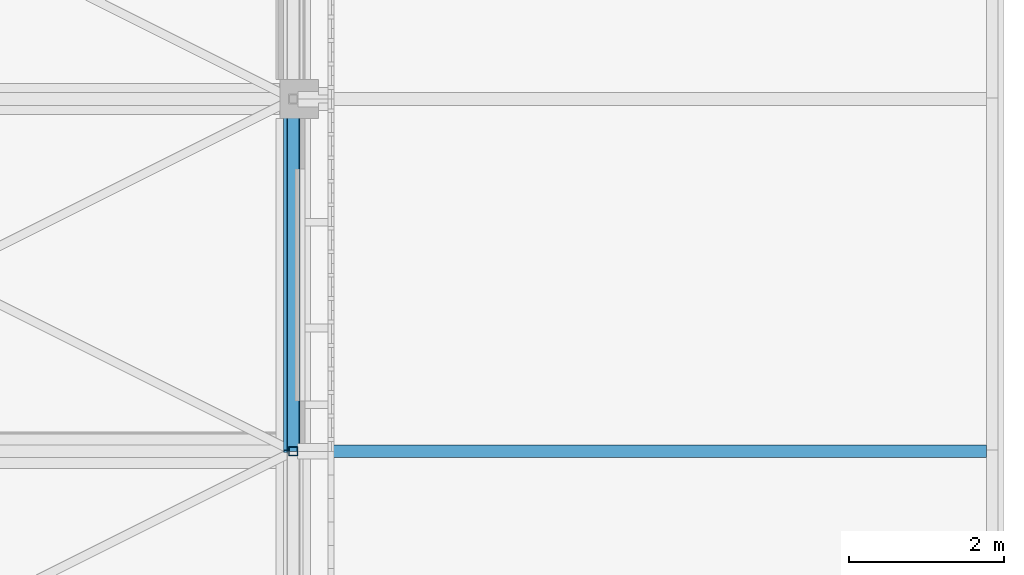
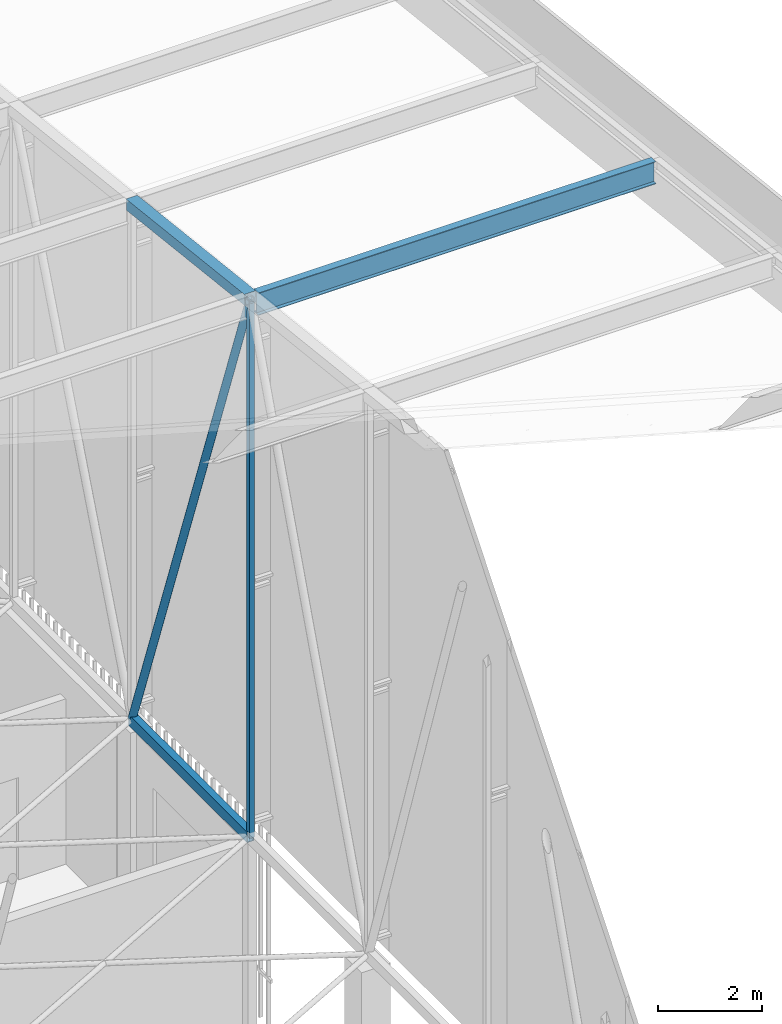
# One storey, part 378 of 500: 5 members.
"""IFC4 building model written with IfcOpenShell, lengths in metres."""

from ifc_helpers import new_model, si_unit, direction, frame, origin, origin_2d, place, context, subcontext, project, spatial, hollow_rectangle, hollow_circle, i_section, extrude, material, material_profile, profile_set, type_object, element, save


model = new_model("IFC4")

# Units and contexts
model_context = context("Model", 3, precision=1e-05, world=origin(), true_north=direction((0.0, 1.0)))
body_context = subcontext(model_context, "Body", "Model", "MODEL_VIEW")
ifc_project = project(units=[si_unit("LENGTHUNIT", "METRE"), si_unit("AREAUNIT", "SQUARE_METRE"), si_unit("VOLUMEUNIT", "CUBIC_METRE"), si_unit("PLANEANGLEUNIT", "RADIAN"), si_unit("MASSUNIT", "GRAM", prefix="KILO")], contexts=[model_context])

# Site, building, storey
site_placement = place(None, origin())
site = spatial("IfcSite", under=ifc_project, at=site_placement, CompositionType="ELEMENT")
building_placement = place(site_placement, origin())
building = spatial("IfcBuilding", under=site, at=building_placement, Name="Shirokan Park Arena", CompositionType="ELEMENT")
storey_placement = place(building_placement, frame((0.0, 0.0, 29.1201171875)))
storey = spatial("IfcBuildingStorey", under=building, at=storey_placement, Name="L06", CompositionType="ELEMENT", Elevation=29.1201171875)

# Members
ifc_material_1 = material(Name="Steel ASTM A500 Grade C", Category="steel")
ifc_material_profile_1 = material_profile(ifc_material_1, hollow_rectangle(XDim=0.152099609375, YDim=0.25390625, WallThickness=0.009521484375, at=origin_2d()), Name="HSS254X152.4X9.5")
ifc_profile_set_1 = profile_set([ifc_material_profile_1], Name="Steel ASTM A500 Grade C")
member_type_1 = type_object("IfcMemberType", Name="Bottom chord HSS254X152.4X9.5", PredefinedType="CHORD", material=ifc_profile_set_1)
member_1_placement = place(storey_placement, frame((145.60009765625, 68.25, 4.677001953125), z_axis=(0.0, 1.0, 0.0), x_axis=(-1.0, 0.0, 0.0)))
element("IfcMember", 1, at=member_1_placement, inside=storey, type_object=member_type_1, Name="Truss T17 bottom chord 18", PredefinedType="CHORD", context=body_context, shape_type="SweptSolid", body=[
    extrude(hollow_rectangle(XDim=0.152099609375, YDim=0.25390625, WallThickness=0.009521484375, at=origin_2d()), origin(), (0.0, 0.0, 1.0), 4.550048828125),
])
ifc_material_2 = material(Name="Steel ASTM A992", Category="steel")
ifc_material_profile_2 = material_profile(ifc_material_2, i_section(OverallWidth=0.166015625, OverallDepth=0.528076171875, WebThickness=0.009765625, FlangeThickness=0.013671875, at=origin_2d()), Name="W530X74")
ifc_profile_set_2 = profile_set([ifc_material_profile_2], Name="Steel ASTM A992")
member_type_2 = type_object("IfcMemberType", Name="Purlin W530X74", PredefinedType="PURLIN", material=ifc_profile_set_2)
member_2_placement = place(storey_placement, frame((145.72705078125, 68.25, 17.165771484375), z_axis=(1.0, 0.0, 0.0), x_axis=(0.0, 1.0, 0.0)))
element("IfcMember", 2, at=member_2_placement, inside=storey, type_object=member_type_2, Name="Eave purlin east 18", PredefinedType="PURLIN", context=body_context, shape_type="SweptSolid", body=[
    extrude(i_section(OverallWidth=0.166015625, OverallDepth=0.528076171875, WebThickness=0.009765625, FlangeThickness=0.013671875, at=origin_2d()), origin(), (0.0, 0.0, 1.0), 8.824951171875),
])
ifc_material_profile_3 = material_profile(ifc_material_1, hollow_rectangle(XDim=0.25390625, YDim=0.25390625, WallThickness=0.009521484375, at=origin_2d()), Name="HSS254X254X9.5")
ifc_profile_set_3 = profile_set([ifc_material_profile_3], Name="Steel ASTM A500 Grade C")
member_type_3 = type_object("IfcMemberType", Name="Top chord HSS254X254X9.5", PredefinedType="CHORD", material=ifc_profile_set_3)
member_3_placement = place(storey_placement, frame((145.60009765625, 68.25, 17.302978515625), z_axis=(0.0, 0.993532328996, -0.113549598152), x_axis=(-1.0, 0.0, 0.0)))
element("IfcMember", 3, at=member_3_placement, inside=storey, type_object=member_type_3, Name="Truss T17 top chord 18", PredefinedType="CHORD", context=body_context, shape_type="SweptSolid", body=[
    extrude(hollow_rectangle(XDim=0.25390625, YDim=0.25390625, WallThickness=0.009521484375, at=origin_2d()), origin(), (0.0, 0.0, 1.0), 4.57958984375),
])
ifc_material_profile_4 = material_profile(ifc_material_1, hollow_circle(Radius=0.083984375, WallThickness=0.009521484375, at=origin_2d()), Name="HSS168.3X9.5")
ifc_profile_set_4 = profile_set([ifc_material_profile_4], Name="Steel ASTM A500 Grade C")
member_type_4 = type_object("IfcMemberType", Name="Truss diagonal HSS168.3X9.5", PredefinedType="BRACE", material=ifc_profile_set_4)
member_4_placement = place(storey_placement, frame((145.60009765625, 68.25, 17.302978515625), z_axis=(0.0, 0.339029292845, -0.940775817394), x_axis=(-1.0, 0.0, 0.0)))
element("IfcMember", 4, at=member_4_placement, inside=storey, type_object=member_type_4, Name="Truss T17 diagonal 18", PredefinedType="BRACE", context=body_context, shape_type="SweptSolid", body=[
    extrude(hollow_circle(Radius=0.083984375, WallThickness=0.009521484375, at=origin_2d()), origin(), (0.0, 0.0, 1.0), 13.4208984375),
])
ifc_material_profile_5 = material_profile(ifc_material_1, hollow_rectangle(XDim=0.114013671875, YDim=0.114013671875, WallThickness=0.00634765625, at=origin_2d()), Name="HSS114.3X114.3X6.4")
ifc_profile_set_5 = profile_set([ifc_material_profile_5], Name="Steel ASTM A500 Grade C")
member_type_5 = type_object("IfcMemberType", Name="Truss post HSS114.3X114.3X6.4", PredefinedType="POST", material=ifc_profile_set_5)
member_5_placement = place(storey_placement, frame((145.60009765625, 68.25, 4.677001953125), z_axis=(0.0, 0.0, 1.0), x_axis=(1.0, 0.0, 0.0)))
element("IfcMember", 5, at=member_5_placement, inside=storey, type_object=member_type_5, Name="Truss T17 post 18", PredefinedType="POST", context=body_context, shape_type="SweptSolid", body=[
    extrude(hollow_rectangle(XDim=0.114013671875, YDim=0.114013671875, WallThickness=0.00634765625, at=origin_2d()), origin(), (0.0, 0.0, 1.0), 12.6259765625),
])

save(model, "model.ifc")
